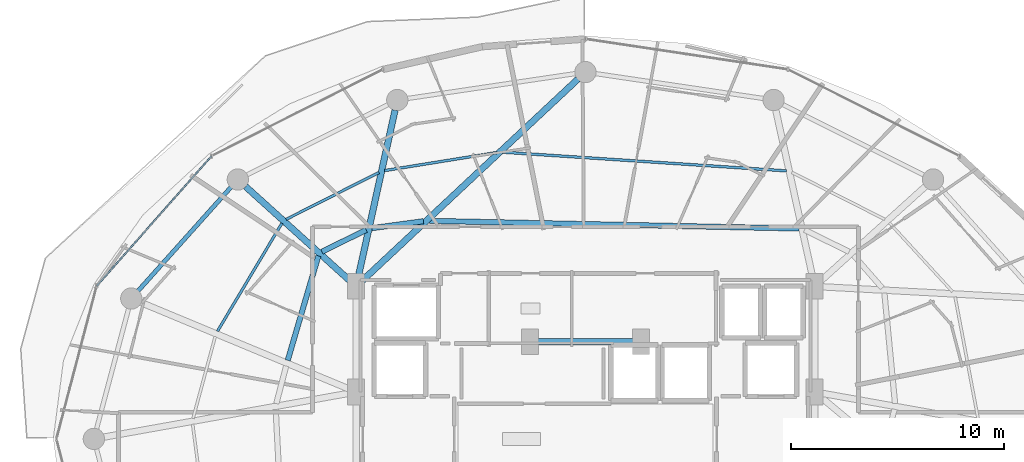
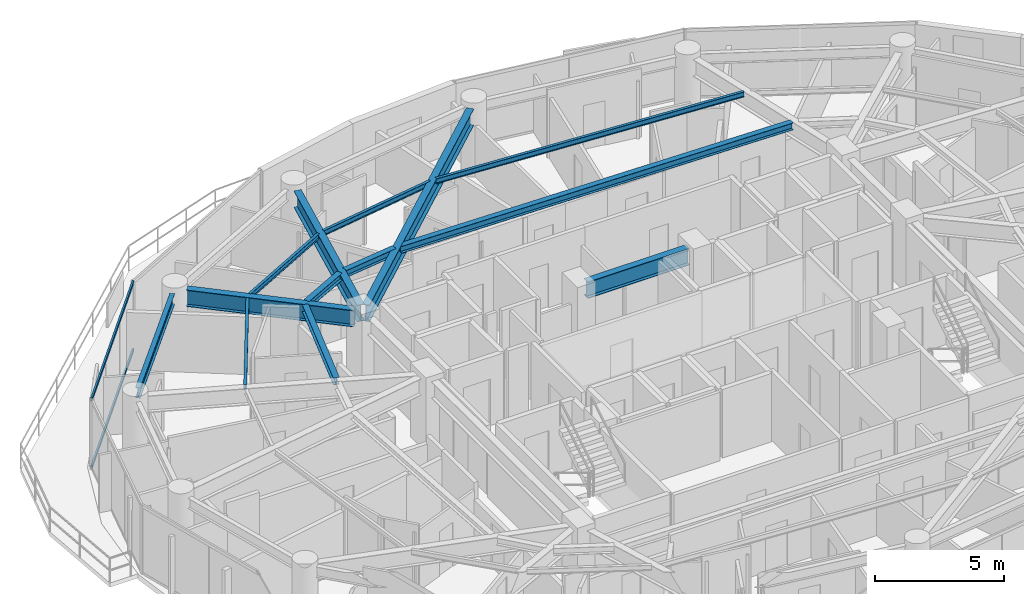
# One storey, part 9 of 29: 13 beams, 2 members, 1 element without a shape of its own.
"""IFC4 building model written with IfcOpenShell, lengths in metres."""

from ifc_helpers import new_model, si_unit, direction, frame, origin, origin_2d, place, context, subcontext, project, spatial, hollow_rectangle, i_section, extrude, material, material_profile, profile_set, type_object, element, aggregate, save


model = new_model("IFC4")

# Units and contexts
model_context = context("Model", 3, precision=1e-05, world=origin(), true_north=direction((0.0, 1.0)))
body_context = subcontext(model_context, "Body", "Model", "MODEL_VIEW")
ifc_project = project(units=[si_unit("LENGTHUNIT", "METRE"), si_unit("AREAUNIT", "SQUARE_METRE"), si_unit("VOLUMEUNIT", "CUBIC_METRE"), si_unit("PLANEANGLEUNIT", "RADIAN"), si_unit("MASSUNIT", "GRAM", prefix="KILO")], contexts=[model_context])

# Site, building, storey
site_placement = place(None, origin())
site = spatial("IfcSite", under=ifc_project, at=site_placement, CompositionType="ELEMENT")
building_placement = place(site_placement, origin())
building = spatial("IfcBuilding", under=site, at=building_placement, Name="Vorneva Point Tower", CompositionType="ELEMENT")
storey_placement = place(building_placement, frame((0.0, 0.0, 150.10009765625)))
storey = spatial("IfcBuildingStorey", under=building, at=storey_placement, Name="L40", CompositionType="ELEMENT", Elevation=150.10009765625)

# Beams
ifc_material_1 = material(Name="Steel S355", Category="steel")
ifc_material_profile_1 = material_profile(ifc_material_1, i_section(OverallWidth=0.300048828125, OverallDepth=0.7880859375, WebThickness=0.014404296875, FlangeThickness=0.02197265625, at=origin_2d()), Name="80Sh1")
ifc_profile_set_1 = profile_set([ifc_material_profile_1], Name="Steel S355")
beam_type_1 = type_object("IfcBeamType", Name="BM-GRD-80Sh1", PredefinedType="USERDEFINED", material=ifc_profile_set_1)
beam_1_placement = place(storey_placement, frame((37.6435546875, 42.86669921875, 2.845947265625), z_axis=(-0.730490907119, -0.682922422107, 0.0), x_axis=(0.682922422107, -0.730490907119, 0.0)))
element("IfcBeam", 1, at=beam_1_placement, inside=storey, type_object=beam_type_1, Name="L40 Radial Primary Girder 05", ObjectType="GIRDER", PredefinedType="USERDEFINED", context=body_context, shape_type="SweptSolid", body=[
    extrude(i_section(OverallWidth=0.300048828125, OverallDepth=0.7880859375, WebThickness=0.014404296875, FlangeThickness=0.02197265625, at=origin_2d()), origin(), (0.0, 0.0, 1.0), 13.88818359375),
])
beam_2_placement = place(storey_placement, frame((29.073974609375, 41.414306640625, 2.845947265625), z_axis=(-0.215520500859, -0.976499315775, 0.0), x_axis=(0.976499315775, -0.215520500859, 0.0)))
element("IfcBeam", 2, at=beam_2_placement, inside=storey, type_object=beam_type_1, Name="L40 Radial Primary Girder 06", ObjectType="GIRDER", PredefinedType="USERDEFINED", context=body_context, shape_type="SweptSolid", body=[
    extrude(i_section(OverallWidth=0.300048828125, OverallDepth=0.7880859375, WebThickness=0.014404296875, FlangeThickness=0.02197265625, at=origin_2d()), origin(), (0.0, 0.0, 1.0), 8.123291015625),
])
beam_3_placement = place(storey_placement, frame((22.063232421875, 37.835205078125, 2.845947265625), z_axis=(0.742084379637, -0.670306477292, 0.0), x_axis=(0.670306477292, 0.742084379637, 0.0)))
element("IfcBeam", 3, at=beam_3_placement, inside=storey, type_object=beam_type_1, Name="L40 Radial Primary Girder 07", ObjectType="GIRDER", PredefinedType="USERDEFINED", context=body_context, shape_type="SweptSolid", body=[
    extrude(i_section(OverallWidth=0.300048828125, OverallDepth=0.7880859375, WebThickness=0.014404296875, FlangeThickness=0.02197265625, at=origin_2d()), origin(), (0.0, 0.0, 1.0), 6.649658203125),
])
beam_4_placement = place(storey_placement, frame((35.719970703125, 30.550048828125, 2.845947265625), z_axis=(1.0, 0.0, 0.0), x_axis=(0.0, 1.0, 0.0)))
element("IfcBeam", 4, at=beam_4_placement, inside=storey, type_object=beam_type_1, Name="L40 Core Tie Girder CT8", ObjectType="GIRDER", PredefinedType="USERDEFINED", context=body_context, shape_type="SweptSolid", body=[
    extrude(i_section(OverallWidth=0.300048828125, OverallDepth=0.7880859375, WebThickness=0.014404296875, FlangeThickness=0.02197265625, at=origin_2d()), origin(), (0.0, 0.0, 1.0), 4.56005859375),
])
ifc_material_profile_2 = material_profile(ifc_material_1, i_section(OverallWidth=0.1240234375, OverallDepth=0.248046875, WebThickness=0.0048828125, FlangeThickness=0.008056640625, at=origin_2d()), Name="25B1")
ifc_profile_set_2 = profile_set([ifc_material_profile_2], Name="Steel S355")
beam_type_2 = type_object("IfcBeamType", Name="BM-JST-25B1", PredefinedType="JOIST", material=ifc_profile_set_2)
beam_5_placement = place(storey_placement, frame((47.418701171875, 38.567626953125, 3.115966796875), z_axis=(-0.997837165049, 0.065734253217, 0.0), x_axis=(-0.065734253217, -0.997837165049, 0.0)))
element("IfcBeam", 5, at=beam_5_placement, inside=storey, type_object=beam_type_2, Name="L40 Secondary Floor Beam 1.04", PredefinedType="JOIST", context=body_context, shape_type="SweptSolid", body=[
    extrude(i_section(OverallWidth=0.1240234375, OverallDepth=0.248046875, WebThickness=0.0048828125, FlangeThickness=0.008056640625, at=origin_2d()), origin(), (0.0, 0.0, 1.0), 13.318603515625),
])
beam_6_placement = place(storey_placement, frame((33.85498046875, 39.430419921875, 3.115966796875), z_axis=(-0.987269836001, -0.159054301806, 0.0), x_axis=(0.159054301806, -0.987269836001, 0.0)))
element("IfcBeam", 6, at=beam_6_placement, inside=storey, type_object=beam_type_2, Name="L40 Secondary Floor Beam 1.05", PredefinedType="JOIST", context=body_context, shape_type="SweptSolid", body=[
    extrude(i_section(OverallWidth=0.1240234375, OverallDepth=0.248046875, WebThickness=0.0048828125, FlangeThickness=0.008056640625, at=origin_2d()), origin(), (0.0, 0.0, 1.0), 5.34326171875),
])
beam_7_placement = place(storey_placement, frame((28.320556640625, 38.496337890625, 3.115966796875), z_axis=(-0.892388118376, -0.451268707292, 0.0), x_axis=(0.451268707292, -0.892388118376, 0.0)))
element("IfcBeam", 7, at=beam_7_placement, inside=storey, type_object=beam_type_2, Name="L40 Secondary Floor Beam 1.06", PredefinedType="JOIST", context=body_context, shape_type="SweptSolid", body=[
    extrude(i_section(OverallWidth=0.1240234375, OverallDepth=0.248046875, WebThickness=0.0048828125, FlangeThickness=0.008056640625, at=origin_2d()), origin(), (0.0, 0.0, 1.0), 4.883056640625),
])
beam_8_placement = place(storey_placement, frame((23.768798828125, 36.112060546875, 3.115966796875), z_axis=(-0.512582119722, -0.858638207012, 0.0), x_axis=(0.858638207012, -0.512582119722, 0.0)))
element("IfcBeam", 8, at=beam_8_placement, inside=storey, type_object=beam_type_2, Name="L40 Secondary Floor Beam 1.07", PredefinedType="JOIST", context=body_context, shape_type="SweptSolid", body=[
    extrude(i_section(OverallWidth=0.1240234375, OverallDepth=0.248046875, WebThickness=0.0048828125, FlangeThickness=0.008056640625, at=origin_2d()), origin(), (0.0, 0.0, 1.0), 5.89501953125),
])
ifc_material_profile_3 = material_profile(ifc_material_1, i_section(OverallWidth=0.2490234375, OverallDepth=0.333984375, WebThickness=0.008056640625, FlangeThickness=0.010986328125, at=origin_2d()), Name="35Sh1")
ifc_profile_set_3 = profile_set([ifc_material_profile_3], Name="Steel S355")
beam_type_3 = type_object("IfcBeamType", Name="BM-SEC-35Sh1", PredefinedType="BEAM", material=ifc_profile_set_3)
beam_9_placement = place(storey_placement, frame((48.013427734375, 35.864501953125, 3.072998046875), z_axis=(-0.999784264677, 0.020770751154, 0.0), x_axis=(-0.020770751154, -0.999784264677, 0.0)))
element("IfcBeam", 9, at=beam_9_placement, inside=storey, type_object=beam_type_3, Name="L40 Secondary Floor Beam 2.04", PredefinedType="BEAM", context=body_context, shape_type="SweptSolid", body=[
    extrude(i_section(OverallWidth=0.2490234375, OverallDepth=0.333984375, WebThickness=0.008056640625, FlangeThickness=0.010986328125, at=origin_2d()), origin(), (0.0, 0.0, 1.0), 17.337158203125),
])
beam_10_placement = place(storey_placement, frame((30.4052734375, 36.208984375, 3.072998046875), z_axis=(-0.990893925695, -0.13464482174, 0.0), x_axis=(0.13464482174, -0.990893925695, 0.0)))
element("IfcBeam", 10, at=beam_10_placement, inside=storey, type_object=beam_type_3, Name="L40 Secondary Floor Beam 2.05", PredefinedType="BEAM", context=body_context, shape_type="SweptSolid", body=[
    extrude(i_section(OverallWidth=0.2490234375, OverallDepth=0.333984375, WebThickness=0.008056640625, FlangeThickness=0.010986328125, at=origin_2d()), origin(), (0.0, 0.0, 1.0), 2.4423828125),
])
beam_11_placement = place(storey_placement, frame((27.724609375, 35.80078125, 3.072998046875), z_axis=(-0.897310370884, -0.441400156664, 0.0), x_axis=(0.441400156664, -0.897310370884, 0.0)))
element("IfcBeam", 11, at=beam_11_placement, inside=storey, type_object=beam_type_3, Name="L40 Secondary Floor Beam 2.06", PredefinedType="BEAM", context=body_context, shape_type="SweptSolid", body=[
    extrude(i_section(OverallWidth=0.2490234375, OverallDepth=0.333984375, WebThickness=0.008056640625, FlangeThickness=0.010986328125, at=origin_2d()), origin(), (0.0, 0.0, 1.0), 2.322021484375),
])
beam_12_placement = place(storey_placement, frame((25.478515625, 34.58251953125, 3.072998046875), z_axis=(-0.28157099182, -0.95954039861, 0.0), x_axis=(0.95954039861, -0.28157099182, 0.0)))
element("IfcBeam", 12, at=beam_12_placement, inside=storey, type_object=beam_type_3, Name="L40 Secondary Floor Beam 2.07", PredefinedType="BEAM", context=body_context, shape_type="SweptSolid", body=[
    extrude(i_section(OverallWidth=0.2490234375, OverallDepth=0.333984375, WebThickness=0.008056640625, FlangeThickness=0.010986328125, at=origin_2d()), origin(), (0.0, 0.0, 1.0), 5.10693359375),
])
ifc_material_profile_4 = material_profile(ifc_material_1, i_section(OverallWidth=0.199951171875, OverallDepth=0.491943359375, WebThickness=0.0087890625, FlangeThickness=0.011962890625, at=origin_2d()), Name="50B1")
ifc_profile_set_4 = profile_set([ifc_material_profile_4], Name="Steel S355")
beam_type_4 = type_object("IfcBeamType", Name="BM-SPN-50B1", PredefinedType="SPANDREL", material=ifc_profile_set_4)
beam_13_placement = place(storey_placement, frame((21.377685546875, 37.80078125, 2.993896484375), z_axis=(-0.667111118975, -0.74495822362, 0.0), x_axis=(0.74495822362, -0.667111118975, 0.0)))
element("IfcBeam", 13, at=beam_13_placement, inside=storey, type_object=beam_type_4, Name="L40 Perimeter Spandrel Ring Beam 07", PredefinedType="SPANDREL", context=body_context, shape_type="SweptSolid", body=[
    extrude(i_section(OverallWidth=0.199951171875, OverallDepth=0.491943359375, WebThickness=0.0087890625, FlangeThickness=0.011962890625, at=origin_2d()), origin(), (0.0, 0.0, 1.0), 6.52001953125),
])

# Curtain wall, members
ifc_material_2 = material(Name="Pale anodised aluminium", Category="aluminium")
curtain_wall_type = type_object("IfcCurtainWallType", Name="CW-RES-SYS", PredefinedType="NOTDEFINED", material=ifc_material_2)
curtain_wall_placement = place(storey_placement, origin())
curtain_wall = element("IfcCurtainWall", 14, at=curtain_wall_placement, inside=storey, type_object=curtain_wall_type, Name="L40 Unitised Curtain Wall CW-L40-R03", PredefinedType="NOTDEFINED")
ifc_material_profile_5 = material_profile(ifc_material_2, hollow_rectangle(XDim=0.074951171875, YDim=0.14990234375, WallThickness=0.00390625, at=origin_2d()), Name="AL-TRN 150x75x4")
ifc_profile_set_5 = profile_set([ifc_material_profile_5], Name="Pale anodised aluminium")
member_type = type_object("IfcMemberType", Name="CW-TRN-150", PredefinedType="USERDEFINED", material=ifc_profile_set_5)
member_1_placement = place(storey_placement, frame((20.4638671875, 39.25830078125, 0.02001953125), z_axis=(-0.662218216609, -0.749311039283, 0.0), x_axis=(0.749311039283, -0.662218216609, 0.0)))
member_1 = element("IfcMember", 15, at=member_1_placement, type_object=member_type, Name="CW-L40-R03 Transom 02.1", ObjectType="TRANSOM", PredefinedType="USERDEFINED", context=body_context, shape_type="SweptSolid", body=[
    extrude(hollow_rectangle(XDim=0.074951171875, YDim=0.14990234375, WallThickness=0.00390625, at=origin_2d()), origin(), (0.0, 0.0, 1.0), 8.1181640625),
])
member_2_placement = place(storey_placement, frame((20.4638671875, 39.25830078125, 3.219970703125), z_axis=(-0.662218216609, -0.749311039283, 0.0), x_axis=(0.749311039283, -0.662218216609, 0.0)))
member_2 = element("IfcMember", 16, at=member_2_placement, type_object=member_type, Name="CW-L40-R03 Transom 02.2", ObjectType="TRANSOM", PredefinedType="USERDEFINED", context=body_context, shape_type="SweptSolid", body=[
    extrude(hollow_rectangle(XDim=0.074951171875, YDim=0.14990234375, WallThickness=0.00390625, at=origin_2d()), origin(), (0.0, 0.0, 1.0), 8.1181640625),
])
aggregate(curtain_wall, [member_1, member_2])

save(model, "model.ifc")
